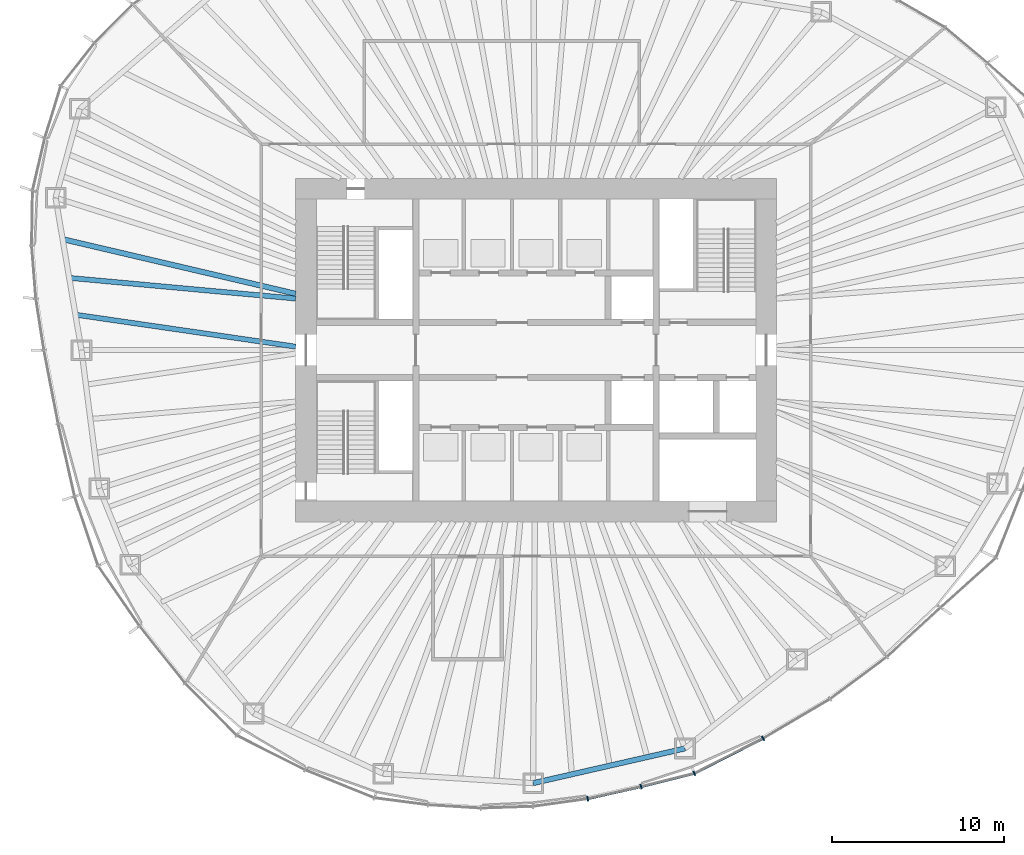
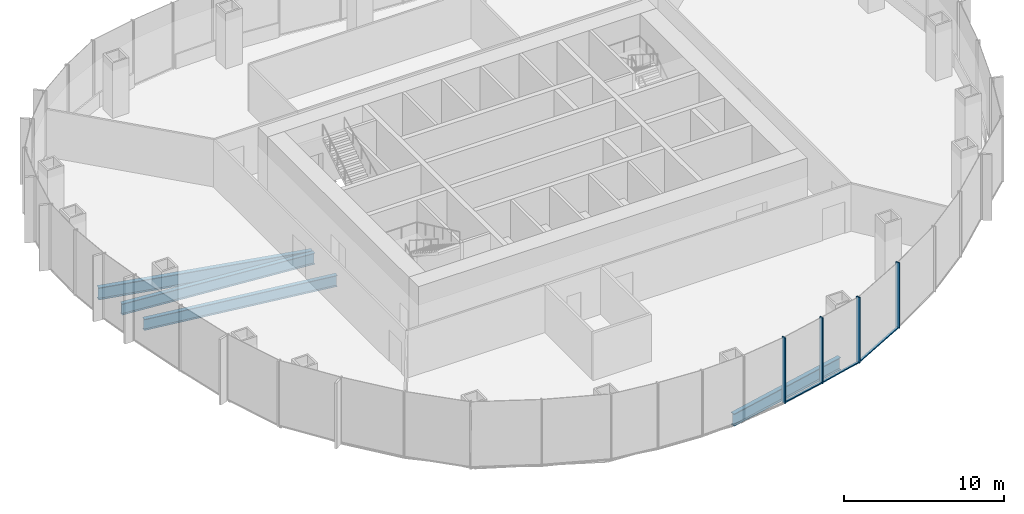
# One storey, part 3 of 18: 7 members, 4 beams, 2 elements without a shape of their own.
"""IFC4 building model written with IfcOpenShell, lengths in metres."""

from ifc_helpers import new_model, si_unit, direction, frame, origin, origin_2d, place, context, subcontext, project, spatial, rectangle, i_section, extrude, material, material_profile, profile_set, type_object, element, aggregate, save


model = new_model("IFC4")

# Units and contexts
model_context = context("Model", 3, precision=1e-05, world=origin(), true_north=direction((0.0, 1.0)))
body_context = subcontext(model_context, "Body", "Model", "MODEL_VIEW")
ifc_project = project(units=[si_unit("LENGTHUNIT", "METRE"), si_unit("AREAUNIT", "SQUARE_METRE"), si_unit("VOLUMEUNIT", "CUBIC_METRE"), si_unit("PLANEANGLEUNIT", "RADIAN"), si_unit("MASSUNIT", "GRAM", prefix="KILO")], contexts=[model_context])

# Site, building, storey
site_placement = place(None, origin())
site = spatial("IfcSite", under=ifc_project, at=site_placement, CompositionType="ELEMENT")
building_placement = place(site_placement, origin())
building = spatial("IfcBuilding", under=site, at=building_placement, Name="Ghaith Harvest Tower", CompositionType="ELEMENT")
storey_placement = place(building_placement, frame((0.0, 0.0, 184.800048828125)))
storey = spatial("IfcBuildingStorey", under=building, at=storey_placement, Name="L40", CompositionType="ELEMENT", Elevation=184.800048828125)

# Curtain wall, members
ifc_material_1 = material(Name="Black anodised aluminium and fritted glass", Category="aluminium")
curtain_wall_type = type_object("IfcCurtainWallType", Name="CW-S CURTAIN WALL", PredefinedType="NOTDEFINED", material=ifc_material_1)
curtain_wall_1_placement = place(storey_placement, origin())
curtain_wall_1 = element("IfcCurtainWall", 1, at=curtain_wall_1_placement, inside=storey, type_object=curtain_wall_type, Name="Curtain wall CW-S bay 16 L40", PredefinedType="NOTDEFINED")
ifc_material_2 = material(Name="Aluminium, black anodised", Category="aluminium")
ifc_material_profile_1 = material_profile(ifc_material_2, rectangle(XDim=0.080078125, YDim=0.280029296875, at=origin_2d()), Name="CW-S MULLION 80x280")
ifc_profile_set_1 = profile_set([ifc_material_profile_1], Name="Aluminium, black anodised")
member_type_1 = type_object("IfcMemberType", Name="CW-S MULLION 80x280", PredefinedType="MULLION", material=ifc_profile_set_1)
member_1_placement = place(storey_placement, frame((3.010009765625, -26.12939453125, 0.0), z_axis=(0.0, 0.0, 1.0), x_axis=(0.983806317978, 0.179234842337, 0.0)))
member_1 = element("IfcMember", 2, at=member_1_placement, type_object=member_type_1, Name="CW-S mullion 2 bay 16 L40", PredefinedType="MULLION", context=body_context, shape_type="SweptSolid", body=[
    extrude(rectangle(XDim=0.080078125, YDim=0.280029296875, at=origin_2d()), origin(), (0.0, 0.0, 1.0), 5.0),
])
member_2_placement = place(storey_placement, frame((6.1201171875, -25.425537109375, 0.0), z_axis=(0.0, 0.0, 1.0), x_axis=(0.972918144681, 0.231149916179, 0.0)))
member_2 = element("IfcMember", 3, at=member_2_placement, type_object=member_type_1, Name="CW-S mullion 3 bay 16 L40", PredefinedType="MULLION", context=body_context, shape_type="SweptSolid", body=[
    extrude(rectangle(XDim=0.080078125, YDim=0.280029296875, at=origin_2d()), origin(), (0.0, 0.0, 1.0), 5.0),
])

curtain_wall_2_placement = place(storey_placement, origin())
curtain_wall_2 = element("IfcCurtainWall", 4, at=curtain_wall_2_placement, inside=storey, type_object=curtain_wall_type, Name="Curtain wall CW-S bay 17 L40", PredefinedType="NOTDEFINED")
member_3_placement = place(storey_placement, frame((9.216796875, -24.654541015625, 0.0), z_axis=(0.0, 0.0, 1.0), x_axis=(0.929831847154, 0.367984695358, 0.0)))
member_3 = element("IfcMember", 5, at=member_3_placement, type_object=member_type_1, Name="CW-S mullion 1 bay 17 L40", PredefinedType="MULLION", context=body_context, shape_type="SweptSolid", body=[
    extrude(rectangle(XDim=0.080078125, YDim=0.280029296875, at=origin_2d()), origin(), (0.0, 0.0, 1.0), 5.0),
])
member_4_placement = place(storey_placement, frame((13.224365234375, -22.614013671875, 0.0), z_axis=(0.0, 0.0, 1.0), x_axis=(0.876898762173, 0.480675109507, 0.0)))
member_4 = element("IfcMember", 6, at=member_4_placement, type_object=member_type_1, Name="CW-S mullion 2 bay 17 L40", PredefinedType="MULLION", context=body_context, shape_type="SweptSolid", body=[
    extrude(rectangle(XDim=0.080078125, YDim=0.280029296875, at=origin_2d()), origin(), (0.0, 0.0, 1.0), 5.0),
])

# Member
ifc_material_3 = material(Name="Aluminium, black anodised", Category="aluminium")
ifc_material_profile_2 = material_profile(ifc_material_3, rectangle(XDim=0.159912109375, YDim=0.080078125, at=origin_2d()), Name="CW-S TRANSOM 160x80")
ifc_profile_set_2 = profile_set([ifc_material_profile_2], Name="Aluminium, black anodised")
member_type_2 = type_object("IfcMemberType", Name="CW-S TRANSOM 160x80", PredefinedType="USERDEFINED", material=ifc_profile_set_2)
member_5_placement = place(storey_placement, frame((3.048828125, -26.120361328125, 0.0400390625), z_axis=(0.975352213651, 0.22065370907, 0.0), x_axis=(-0.22065370907, 0.975352213651, 0.0)))
member_5 = element("IfcMember", 7, at=member_5_placement, type_object=member_type_2, Name="CW-S transom 2 bay 16 L40", ObjectType="TRANSOM", PredefinedType="USERDEFINED", context=body_context, shape_type="SweptSolid", body=[
    extrude(rectangle(XDim=0.159912109375, YDim=0.080078125, at=origin_2d()), origin(), (0.0, 0.0, 1.0), 3.109130859375),
])

member_6_placement = place(storey_placement, frame((6.158935546875, -25.415771484375, 0.0400390625), z_axis=(0.97039125345, 0.241538434265, 0.0), x_axis=(-0.241538434265, 0.97039125345, 0.0)))
member_6 = element("IfcMember", 8, at=member_6_placement, type_object=member_type_2, Name="CW-S transom 3 bay 16 L40", ObjectType="TRANSOM", PredefinedType="USERDEFINED", context=body_context, shape_type="SweptSolid", body=[
    extrude(rectangle(XDim=0.159912109375, YDim=0.080078125, at=origin_2d()), origin(), (0.0, 0.0, 1.0), 3.111083984375),
])

aggregate(curtain_wall_1, [member_1, member_5, member_2, member_6])

member_7_placement = place(storey_placement, frame((9.25244140625, -24.636474609375, 0.0400390625), z_axis=(0.891120044719, 0.453767634258, 0.0), x_axis=(-0.453767634258, 0.891120044719, 0.0)))
member_7 = element("IfcMember", 9, at=member_7_placement, type_object=member_type_2, Name="CW-S transom 1 bay 17 L40", ObjectType="TRANSOM", PredefinedType="USERDEFINED", context=body_context, shape_type="SweptSolid", body=[
    extrude(rectangle(XDim=0.159912109375, YDim=0.080078125, at=origin_2d()), origin(), (0.0, 0.0, 1.0), 4.417236328125),
])

aggregate(curtain_wall_2, [member_3, member_7, member_4])

# Beams
ifc_material_4 = material(Name="Steel ASTM A992 Grade 50", Category="steel")
ifc_material_profile_3 = material_profile(ifc_material_4, i_section(OverallWidth=0.306884765625, OverallDepth=0.94189453125, WebThickness=0.022216796875, FlangeThickness=0.039794921875, at=origin_2d()), Name="W920X345")
ifc_profile_set_3 = profile_set([ifc_material_profile_3], Name="Steel ASTM A992 Grade 50")
beam_type_1 = type_object("IfcBeamType", Name="E920-345 W920X345", PredefinedType="SPANDREL", material=ifc_profile_set_3)
beam_1_placement = place(storey_placement, frame((-0.173095703125, -25.22412109375, -0.696044921875), z_axis=(0.974881709383, 0.22272326486, 0.0), x_axis=(-0.22272326486, 0.974881709383, 0.0)))
element("IfcBeam", 10, at=beam_1_placement, inside=storey, type_object=beam_type_1, Name="Edge beam E16 L40", PredefinedType="SPANDREL", context=body_context, shape_type="SweptSolid", body=[
    extrude(i_section(OverallWidth=0.306884765625, OverallDepth=0.94189453125, WebThickness=0.022216796875, FlangeThickness=0.039794921875, at=origin_2d()), origin(), (0.0, 0.0, 1.0), 9.0751953125),
])
ifc_material_5 = material(Name="Steel ASTM A992 Grade 50", Category="steel")
ifc_material_profile_4 = material_profile(ifc_material_5, i_section(OverallWidth=0.2939453125, OverallDepth=0.85107421875, WebThickness=0.01611328125, FlangeThickness=0.02685546875, at=origin_2d()), Name="W840X226")
ifc_profile_set_4 = profile_set([ifc_material_profile_4], Name="Steel ASTM A992 Grade 50")
beam_type_2 = type_object("IfcBeamType", Name="J840-226 W840X226", PredefinedType="JOIST", material=ifc_profile_set_4)
beam_2_placement = place(storey_placement, frame((-14.0, 3.0, -0.650634765625), z_axis=(-0.995849123151, 0.091019360137, 0.0), x_axis=(-0.091019360137, -0.995849123151, 0.0)))
element("IfcBeam", 11, at=beam_2_placement, inside=storey, type_object=beam_type_2, Name="Joist J10.2 L40", PredefinedType="JOIST", context=body_context, shape_type="SweptSolid", body=[
    extrude(i_section(OverallWidth=0.2939453125, OverallDepth=0.85107421875, WebThickness=0.01611328125, FlangeThickness=0.02685546875, at=origin_2d()), origin(), (0.0, 0.0, 1.0), 13.2451171875),
])
beam_3_placement = place(storey_placement, frame((-14.0, 0.199951171875, -0.650634765625), z_axis=(-0.989622120656, 0.143694322465, 0.0), x_axis=(-0.143694322465, -0.989622120656, 0.0)))
element("IfcBeam", 12, at=beam_3_placement, inside=storey, type_object=beam_type_2, Name="Joist J10.3 L40", PredefinedType="JOIST", context=body_context, shape_type="SweptSolid", body=[
    extrude(i_section(OverallWidth=0.2939453125, OverallDepth=0.85107421875, WebThickness=0.01611328125, FlangeThickness=0.02685546875, at=origin_2d()), origin(), (0.0, 0.0, 1.0), 12.960205078125),
])
ifc_material_6 = material(Name="Steel ASTM A992 Grade 50", Category="steel")
ifc_material_profile_5 = material_profile(ifc_material_6, i_section(OverallWidth=0.31005859375, OverallDepth=0.927001953125, WebThickness=0.019287109375, FlangeThickness=0.031982421875, at=origin_2d()), Name="W920X289")
ifc_profile_set_5 = profile_set([ifc_material_profile_5], Name="Steel ASTM A992 Grade 50")
beam_type_3 = type_object("IfcBeamType", Name="J920-289 W920X289", PredefinedType="JOIST", material=ifc_profile_set_5)
beam_4_placement = place(storey_placement, frame((-14.0, 3.280517578125, -0.6884765625), z_axis=(-0.973623240284, 0.228161753978, 0.0), x_axis=(-0.228161753978, -0.973623240284, 0.0)))
element("IfcBeam", 13, at=beam_4_placement, inside=storey, type_object=beam_type_3, Name="Joist J10.1 L40", PredefinedType="JOIST", context=body_context, shape_type="SweptSolid", body=[
    extrude(i_section(OverallWidth=0.31005859375, OverallDepth=0.927001953125, WebThickness=0.019287109375, FlangeThickness=0.031982421875, at=origin_2d()), origin(), (0.0, 0.0, 1.0), 13.94140625),
])

save(model, "model.ifc")
